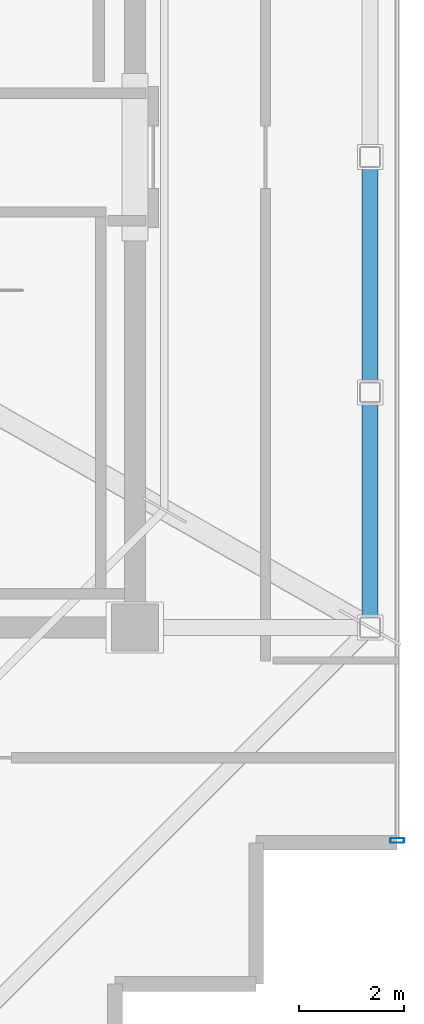
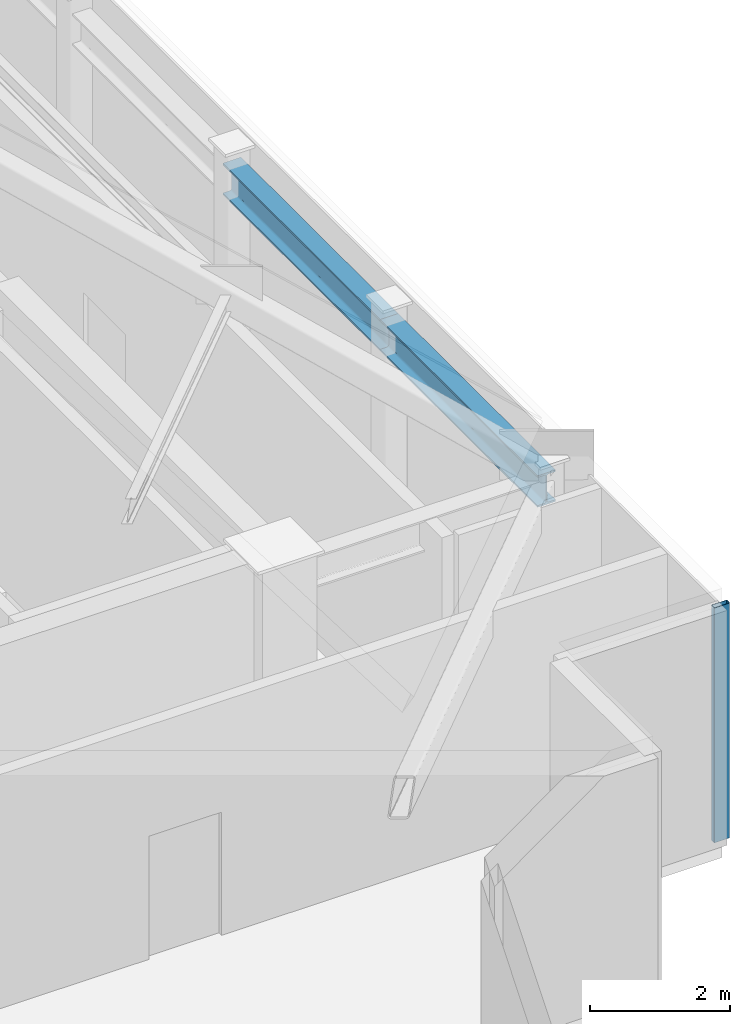
# One storey, part 8 of 17: 2 beams, 1 member, 1 element without a shape of its own.
"""IFC4 building model written with IfcOpenShell, lengths in metres."""

from ifc_helpers import new_model, si_unit, direction, frame, origin, origin_2d, place, context, subcontext, project, spatial, hollow_rectangle, i_section, extrude, source, transform, mapped, material, layer, layer_set, material_profile, profile_set, type_object, element, aggregate, save


model = new_model("IFC4")

# Units and contexts
model_context = context("Model", 3, precision=1e-05, world=origin(), true_north=direction((0.0, 1.0)))
body_context = subcontext(model_context, "Body", "Model", "MODEL_VIEW")
ifc_project = project(units=[si_unit("LENGTHUNIT", "METRE"), si_unit("AREAUNIT", "SQUARE_METRE"), si_unit("VOLUMEUNIT", "CUBIC_METRE"), si_unit("PLANEANGLEUNIT", "RADIAN"), si_unit("MASSUNIT", "GRAM", prefix="KILO")], contexts=[model_context])

# Site, building, storey
site_placement = place(None, origin())
site = spatial("IfcSite", under=ifc_project, at=site_placement, CompositionType="ELEMENT")
building_placement = place(site_placement, origin())
building = spatial("IfcBuilding", under=site, at=building_placement, Name="Nefas-Gora Pilgrimage Tower", CompositionType="ELEMENT")
storey_placement = place(building_placement, frame((0.0, 0.0, 367.39990234375)))
storey = spatial("IfcBuildingStorey", under=building, at=storey_placement, Name="L92", CompositionType="ELEMENT", Elevation=367.39990234375)

# Beams
ifc_material_1 = material(Name="Steel S355", Category="steel")
ifc_material_profile_1 = material_profile(ifc_material_1, i_section(OverallWidth=0.300048828125, OverallDepth=0.550048828125, WebThickness=0.014892578125, FlangeThickness=0.029052734375, FilletRadius=0.027099609375, at=origin_2d()), Name="HEB 550")
ifc_profile_set_1 = profile_set([ifc_material_profile_1], Name="Steel S355")
beam_type = type_object("IfcBeamType", Name="BM-SPN-HEB400", PredefinedType="SPANDREL", material=ifc_profile_set_1)
shared_shape_1 = source(origin(), body_context, "Body", "SweptSolid", [
    extrude(i_section(OverallWidth=0.300048828125, OverallDepth=0.550048828125, WebThickness=0.014892578125, FlangeThickness=0.029052734375, FilletRadius=0.027099609375, at=origin_2d()), origin(), (0.0, 0.0, 1.0), 4.5),
])
for number, where, z_axis, x_axis, name in (
    (1, (15.75, -9.0, 3.8251953125), (0.0, 1.0, 0.0), (-1.0, 0.0, 0.0), "L92 SP-04 beam"),
    (2, (15.75, -4.5, 3.8251953125), (0.0, 1.0, 0.0), (-1.0, 0.0, 0.0), "L92 SP-04 beam"),
):
    element("IfcBeam", number, at=place(storey_placement, frame(where, z_axis=z_axis, x_axis=x_axis)), inside=storey, type_object=beam_type, Name=name, PredefinedType="SPANDREL", context=body_context, shape_type="MappedRepresentation", body=[
        mapped(shared_shape_1, transform((0.0, 0.0, 0.0), x_axis=(1.0, 0.0, 0.0), y_axis=(0.0, 1.0, 0.0), z_axis=(0.0, 0.0, 1.0), scale=1.0)),
    ])

# Curtain wall, member
ifc_material_2 = material(Name="Dark ceramic-fritted solar-control aluminium-glass curtain wall", Category="aluminium")
ifc_layer = layer(ifc_material_2, 0.219970703125)
ifc_layer_set = layer_set([ifc_layer], Name="Dark ceramic-fritted solar-control aluminium-glass curtain wall")
curtain_wall_type = type_object("IfcCurtainWallType", Name="CW-SYS-6", PredefinedType="NOTDEFINED", material=ifc_layer_set)
curtain_wall_placement = place(storey_placement, origin())
curtain_wall = element("IfcCurtainWall", 3, at=curtain_wall_placement, inside=storey, type_object=curtain_wall_type, Name="L92 Unitised Curtain Wall CW6", PredefinedType="NOTDEFINED")
ifc_material_3 = material(Name="Anodised architectural aluminium", Category="aluminium")
ifc_material_profile_2 = material_profile(ifc_material_3, hollow_rectangle(XDim=0.090087890625, YDim=0.260009765625, WallThickness=0.006103515625, InnerFilletRadius=0.006103515625, OuterFilletRadius=0.011962890625, at=origin_2d()), Name="ALU MULLION 90x260")
ifc_profile_set_2 = profile_set([ifc_material_profile_2], Name="Anodised architectural aluminium")
member_type = type_object("IfcMemberType", Name="CWM-MUL-6", PredefinedType="MULLION", material=ifc_profile_set_2)
shared_shape_2 = source(origin(), body_context, "Body", "SweptSolid", [
    extrude(hollow_rectangle(XDim=0.090087890625, YDim=0.260009765625, WallThickness=0.006103515625, InnerFilletRadius=0.006103515625, OuterFilletRadius=0.011962890625, at=origin_2d()), origin(), (0.0, 0.0, 1.0), 4.10009765625),
])
member_placement = place(storey_placement, frame((16.27001953125, -13.074951171875, 0.0), z_axis=(0.0, 0.0, 1.0), x_axis=(0.0, 1.0, 0.0)))
member = element("IfcMember", 4, at=member_placement, type_object=member_type, Name="CW6 Mullion 1", PredefinedType="MULLION", context=body_context, shape_type="MappedRepresentation", body=[
    mapped(shared_shape_2, transform((0.0, 0.0, 0.0), x_axis=(1.0, 0.0, 0.0), y_axis=(0.0, 1.0, 0.0), z_axis=(0.0, 0.0, 1.0), scale=1.0)),
])
aggregate(curtain_wall, [member])

save(model, "model.ifc")
